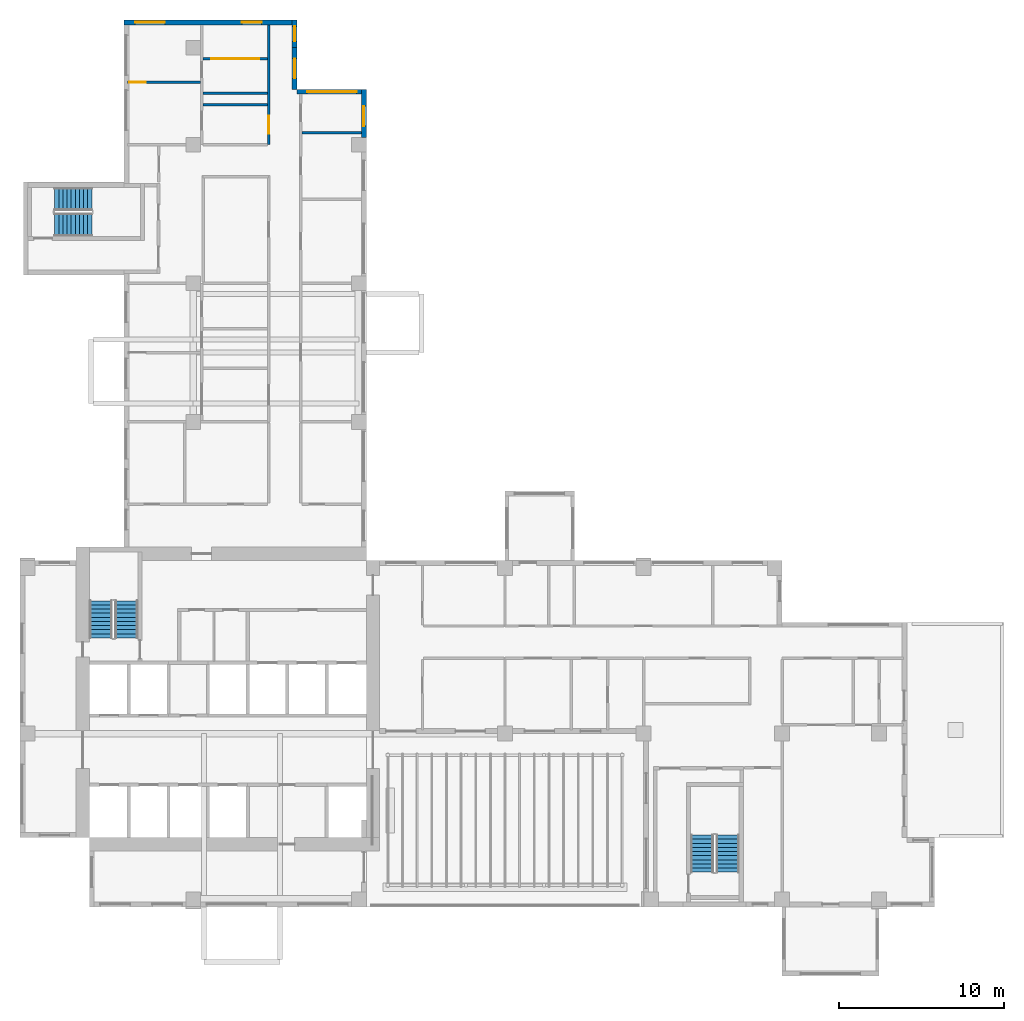
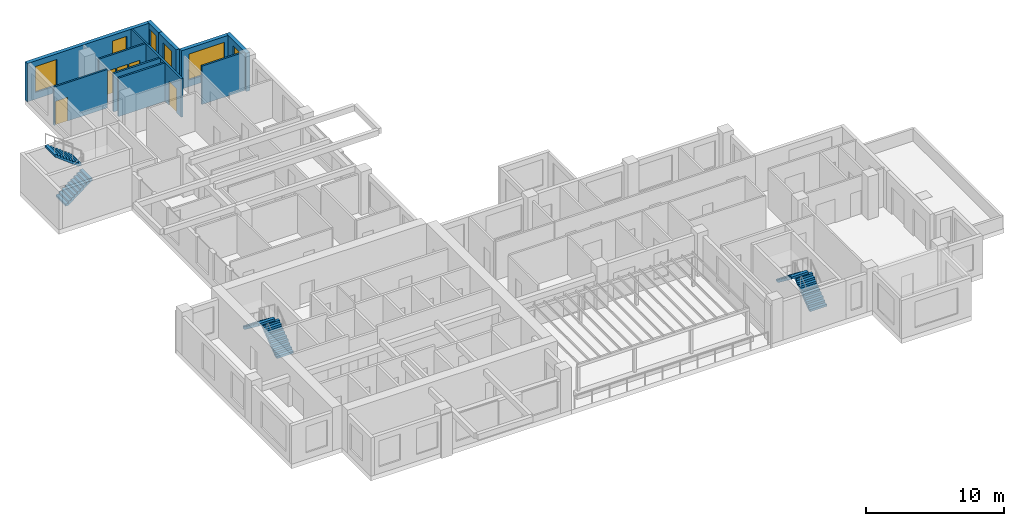
# One storey, part 9 of 13: 11 walls, 6 stair flights, 6 windows, 5 doors, 11 openings, 3 elements without a shape of their own.
"""IFC4 building model written with IfcOpenShell, lengths in metres."""

from ifc_helpers import new_model, si_unit, direction, frame, frame_2d, origin, place, context, subcontext, project, spatial, polyline, rectangle, outline, extrude, source, transform, mapped, material, layer, layer_set, type_object, element, fill, aggregate, save


model = new_model("IFC4")

# Units and contexts
model_context = context("Model", 3, precision=1e-05, world=origin(), true_north=direction((0.0, 1.0)))
body_context = subcontext(model_context, "Body", "Model", "MODEL_VIEW")
ifc_project = project(units=[si_unit("LENGTHUNIT", "METRE"), si_unit("AREAUNIT", "SQUARE_METRE"), si_unit("VOLUMEUNIT", "CUBIC_METRE"), si_unit("PLANEANGLEUNIT", "RADIAN"), si_unit("MASSUNIT", "GRAM", prefix="KILO")], contexts=[model_context])

# Site, building, storey
site_placement = place(None, origin())
site = spatial("IfcSite", under=ifc_project, at=site_placement, CompositionType="ELEMENT")
building_placement = place(site_placement, origin())
building = spatial("IfcBuilding", under=site, at=building_placement, Name="Aurelian Terraces", CompositionType="ELEMENT")
storey_placement = place(building_placement, frame((0.0, 0.0, 204.4)))
storey = spatial("IfcBuildingStorey", under=building, at=storey_placement, Name="L45", CompositionType="ELEMENT", Elevation=204.4)

# Wall, opening, window
ifc_material_1 = material(Name="Terracotta rainscreen cladding", Category="masonry")
ifc_layer_1 = layer(ifc_material_1, 0.3)
ifc_layer_set_1 = layer_set([ifc_layer_1], Name="EW-300")
wall_type_1 = type_object("IfcWallType", Name="EW-300", PredefinedType="STANDARD", material=ifc_layer_set_1)
shared_shape_1 = source(origin(), body_context, "Body", "SweptSolid", [
    extrude(rectangle(XDim=2.91, YDim=0.3, at=frame_2d((1.455, 0.0))), origin(), (0.0, 0.0, 1.0), 3.4),
])
wall_1_placement = place(storey_placement, frame((20.85, 46.65, 0.0), z_axis=(0.0, 0.0, 1.0), x_axis=(0.0, 1.0, 0.0)))
wall_1 = element("IfcWall", 1, at=wall_1_placement, inside=storey, type_object=wall_type_1, Name="External wall L45 F12.23", PredefinedType="STANDARD", context=body_context, shape_type="MappedRepresentation", body=[
    mapped(shared_shape_1, transform((0.0, 0.0, 0.0), scale=1.0)),
])
shared_shape_2 = source(origin(), body_context, "Body", "SweptSolid", [
    extrude(rectangle(XDim=1.2, YDim=2.3, at=frame_2d((0.6, 1.15))), frame((0.0, 0.16, 0.0), z_axis=(0.0, -1.0, 0.0), x_axis=(1.0, 0.0, 0.0)), (0.0, 0.0, 1.0), 0.32),
])
opening_1_placement = place(wall_1_placement, frame((0.684, 0.0, 0.6)))
opening_1 = element("IfcOpeningElement", 2, at=opening_1_placement, cuts=wall_1, Name="Opening W1223", PredefinedType="OPENING", context=body_context, shape_type="MappedRepresentation", body=[
    mapped(shared_shape_2, transform((0.0, 0.0, 0.0), scale=1.0)),
])
ifc_material_2 = material(Name="Clear glazing", Category="glass")
window_type_1 = type_object("IfcWindowType", Name="W-1200x2300", PartitioningType="SINGLE_PANEL", PredefinedType="WINDOW", material=ifc_material_2)
shared_shape_3 = source(origin(), body_context, "Body", "SweptSolid", [
    extrude(rectangle(XDim=1.2, YDim=2.3, at=frame_2d((0.6, 1.15))), frame((0.0, 0.03, 0.0), z_axis=(0.0, -1.0, 0.0), x_axis=(1.0, 0.0, 0.0)), (0.0, 0.0, 1.0), 0.06),
])
window_1_placement = place(opening_1_placement, origin())
window_1 = element("IfcWindow", 3, at=window_1_placement, inside=storey, type_object=window_type_1, Name="Window L45 L45-F12-23-0", OverallHeight=2.3, OverallWidth=1.2, PartitioningType="SINGLE_PANEL", PredefinedType="WINDOW", context=body_context, shape_type="MappedRepresentation", body=[
    mapped(shared_shape_3, transform((0.0, 0.0, 0.0), scale=1.0)),
])
fill(opening_1, window_1)

shared_shape_4 = source(origin(), body_context, "Body", "SweptSolid", [
    extrude(rectangle(XDim=4.2, YDim=0.3, at=frame_2d((2.1, 0.0))), origin(), (0.0, 0.0, 1.0), 3.4),
])
wall_2_placement = place(storey_placement, frame((21.0, 49.41, 0.0), z_axis=(0.0, 0.0, 1.0), x_axis=(-1.0, 0.0, 0.0)))
wall_2 = element("IfcWall", 4, at=wall_2_placement, inside=storey, type_object=wall_type_1, Name="External wall L45 F13.24", PredefinedType="STANDARD", context=body_context, shape_type="MappedRepresentation", body=[
    mapped(shared_shape_4, transform((0.0, 0.0, 0.0), scale=1.0)),
])
shared_shape_5 = source(origin(), body_context, "Body", "SweptSolid", [
    extrude(rectangle(XDim=3.0, YDim=2.3, at=frame_2d((1.5, 1.15))), frame((0.0, 0.16, 0.0), z_axis=(0.0, -1.0, 0.0), x_axis=(1.0, 0.0, 0.0)), (0.0, 0.0, 1.0), 0.32),
])
opening_2_placement = place(wall_2_placement, frame((0.6, 0.0, 0.6)))
opening_2 = element("IfcOpeningElement", 5, at=opening_2_placement, cuts=wall_2, Name="Opening W3023", PredefinedType="OPENING", context=body_context, shape_type="MappedRepresentation", body=[
    mapped(shared_shape_5, transform((0.0, 0.0, 0.0), scale=1.0)),
])
window_type_2 = type_object("IfcWindowType", Name="W-3000x2300", PartitioningType="SINGLE_PANEL", PredefinedType="WINDOW", material=ifc_material_2)
shared_shape_6 = source(origin(), body_context, "Body", "SweptSolid", [
    extrude(rectangle(XDim=3.0, YDim=2.3, at=frame_2d((1.5, 1.15))), frame((0.0, 0.03, 0.0), z_axis=(0.0, -1.0, 0.0), x_axis=(1.0, 0.0, 0.0)), (0.0, 0.0, 1.0), 0.06),
])
window_2_placement = place(opening_2_placement, origin())
window_2 = element("IfcWindow", 6, at=window_2_placement, inside=storey, type_object=window_type_2, Name="Window L45 L45-F13-24-0", OverallHeight=2.3, OverallWidth=3.0, PartitioningType="SINGLE_PANEL", PredefinedType="WINDOW", context=body_context, shape_type="MappedRepresentation", body=[
    mapped(shared_shape_6, transform((0.0, 0.0, 0.0), scale=1.0)),
])
fill(opening_2, window_2)

shared_shape_7 = source(origin(), body_context, "Body", "SweptSolid", [
    extrude(rectangle(XDim=2.52, YDim=0.3, at=frame_2d((1.26, 0.0))), origin(), (0.0, 0.0, 1.0), 3.4),
])
wall_3_placement = place(storey_placement, frame((16.65, 49.56, 0.0), z_axis=(0.0, 0.0, 1.0), x_axis=(0.0, 1.0, 0.0)))
wall_3 = element("IfcWall", 7, at=wall_3_placement, inside=storey, type_object=wall_type_1, Name="External wall L45 F14.25", PredefinedType="STANDARD", context=body_context, shape_type="MappedRepresentation", body=[
    mapped(shared_shape_7, transform((0.0, 0.0, 0.0), scale=1.0)),
])
opening_3_placement = place(wall_3_placement, frame((0.66, 0.0, 0.6)))
opening_3 = element("IfcOpeningElement", 8, at=opening_3_placement, cuts=wall_3, Name="Opening W1223", PredefinedType="OPENING", context=body_context, shape_type="MappedRepresentation", body=[
    mapped(shared_shape_2, transform((0.0, 0.0, 0.0), scale=1.0)),
])
window_3_placement = place(opening_3_placement, origin())
window_3 = element("IfcWindow", 9, at=window_3_placement, inside=storey, type_object=window_type_1, Name="Window L45 L45-F14-25-0", OverallHeight=2.3, OverallWidth=1.2, PartitioningType="SINGLE_PANEL", PredefinedType="WINDOW", context=body_context, shape_type="MappedRepresentation", body=[
    mapped(shared_shape_3, transform((0.0, 0.0, 0.0), scale=1.0)),
])
fill(opening_3, window_3)

shared_shape_8 = source(origin(), body_context, "Body", "SweptSolid", [
    extrude(rectangle(XDim=1.68, YDim=0.3, at=frame_2d((0.84, 0.0))), origin(), (0.0, 0.0, 1.0), 3.4),
])
wall_4_placement = place(storey_placement, frame((16.65, 52.08, 0.0), z_axis=(0.0, 0.0, 1.0), x_axis=(0.0, 1.0, 0.0)))
wall_4 = element("IfcWall", 10, at=wall_4_placement, inside=storey, type_object=wall_type_1, Name="External wall L45 F14.26", PredefinedType="STANDARD", context=body_context, shape_type="MappedRepresentation", body=[
    mapped(shared_shape_8, transform((0.0, 0.0, 0.0), scale=1.0)),
])
shared_shape_9 = source(origin(), body_context, "Body", "SweptSolid", [
    extrude(rectangle(XDim=0.9, YDim=2.3, at=frame_2d((0.45, 1.15))), frame((0.0, 0.16, 0.0), z_axis=(0.0, -1.0, 0.0), x_axis=(1.0, 0.0, 0.0)), (0.0, 0.0, 1.0), 0.32),
])
opening_4_placement = place(wall_4_placement, frame((0.39, 0.0, 0.6)))
opening_4 = element("IfcOpeningElement", 11, at=opening_4_placement, cuts=wall_4, Name="Opening W0923", PredefinedType="OPENING", context=body_context, shape_type="MappedRepresentation", body=[
    mapped(shared_shape_9, transform((0.0, 0.0, 0.0), scale=1.0)),
])
window_type_3 = type_object("IfcWindowType", Name="W-900x2300", PartitioningType="SINGLE_PANEL", PredefinedType="WINDOW", material=ifc_material_2)
shared_shape_10 = source(origin(), body_context, "Body", "SweptSolid", [
    extrude(rectangle(XDim=0.9, YDim=2.3, at=frame_2d((0.45, 1.15))), frame((0.0, 0.03, 0.0), z_axis=(0.0, -1.0, 0.0), x_axis=(1.0, 0.0, 0.0)), (0.0, 0.0, 1.0), 0.06),
])
window_4_placement = place(opening_4_placement, origin())
window_4 = element("IfcWindow", 12, at=window_4_placement, inside=storey, type_object=window_type_3, Name="Window L45 L45-F14-26-P0", OverallHeight=2.3, OverallWidth=0.9, PartitioningType="SINGLE_PANEL", PredefinedType="WINDOW", context=body_context, shape_type="MappedRepresentation", body=[
    mapped(shared_shape_10, transform((0.0, 0.0, 0.0), scale=1.0)),
])
fill(opening_4, window_4)

# Wall, openings, windows
shared_shape_11 = source(origin(), body_context, "Body", "SweptSolid", [
    extrude(rectangle(XDim=10.5, YDim=0.3, at=frame_2d((5.25, 0.0))), origin(), (0.0, 0.0, 1.0), 3.4),
])
wall_5_placement = place(storey_placement, frame((16.8, 53.61, 0.0), z_axis=(0.0, 0.0, 1.0), x_axis=(-1.0, 0.0, 0.0)))
wall_5 = element("IfcWall", 13, at=wall_5_placement, inside=storey, type_object=wall_type_1, Name="External wall L45 F15.27", PredefinedType="STANDARD", context=body_context, shape_type="MappedRepresentation", body=[
    mapped(shared_shape_11, transform((0.0, 0.0, 0.0), scale=1.0)),
])
opening_5_placement = place(wall_5_placement, frame((2.15, 0.0, 0.6)))
opening_5 = element("IfcOpeningElement", 14, at=opening_5_placement, cuts=wall_5, Name="Opening W1223", PredefinedType="OPENING", context=body_context, shape_type="MappedRepresentation", body=[
    mapped(shared_shape_2, transform((0.0, 0.0, 0.0), scale=1.0)),
])
shared_shape_12 = source(origin(), body_context, "Body", "SweptSolid", [
    extrude(rectangle(XDim=1.8, YDim=2.3, at=frame_2d((0.9, 1.15))), frame((0.0, 0.16, 0.0), z_axis=(0.0, -1.0, 0.0), x_axis=(1.0, 0.0, 0.0)), (0.0, 0.0, 1.0), 0.32),
])
opening_6_placement = place(wall_5_placement, frame((8.025, 0.0, 0.6)))
opening_6 = element("IfcOpeningElement", 15, at=opening_6_placement, cuts=wall_5, Name="Opening W1823", PredefinedType="OPENING", context=body_context, shape_type="MappedRepresentation", body=[
    mapped(shared_shape_12, transform((0.0, 0.0, 0.0), scale=1.0)),
])
window_5_placement = place(opening_5_placement, origin())
window_5 = element("IfcWindow", 16, at=window_5_placement, inside=storey, type_object=window_type_1, Name="Window L45 L45-F15-27-0", OverallHeight=2.3, OverallWidth=1.2, PartitioningType="SINGLE_PANEL", PredefinedType="WINDOW", context=body_context, shape_type="MappedRepresentation", body=[
    mapped(shared_shape_3, transform((0.0, 0.0, 0.0), scale=1.0)),
])
fill(opening_5, window_5)
window_type_4 = type_object("IfcWindowType", Name="W-1800x2300", PartitioningType="SINGLE_PANEL", PredefinedType="WINDOW", material=ifc_material_2)
shared_shape_13 = source(origin(), body_context, "Body", "SweptSolid", [
    extrude(rectangle(XDim=1.8, YDim=2.3, at=frame_2d((0.9, 1.15))), frame((0.0, 0.03, 0.0), z_axis=(0.0, -1.0, 0.0), x_axis=(1.0, 0.0, 0.0)), (0.0, 0.0, 1.0), 0.06),
])
window_6_placement = place(opening_6_placement, origin())
window_6 = element("IfcWindow", 17, at=window_6_placement, inside=storey, type_object=window_type_4, Name="Window L45 L45-F15-27-2", OverallHeight=2.3, OverallWidth=1.8, PartitioningType="SINGLE_PANEL", PredefinedType="WINDOW", context=body_context, shape_type="MappedRepresentation", body=[
    mapped(shared_shape_13, transform((0.0, 0.0, 0.0), scale=1.0)),
])
fill(opening_6, window_6)

# Walls
ifc_material_3 = material(Name="Gypsum board on steel studs", Category="steel")
ifc_layer_2 = layer(ifc_material_3, 0.15)
ifc_layer_set_2 = layer_set([ifc_layer_2], Name="Partition 150")
wall_type_2 = type_object("IfcWallType", Name="Partition 150", PredefinedType="PARTITIONING", material=ifc_layer_set_2)
shared_shape_14 = source(origin(), body_context, "Body", "SweptSolid", [
    extrude(rectangle(XDim=3.9, YDim=0.15, at=frame_2d((1.95, 0.0))), origin(), (0.0, 0.0, 1.0), 3.4),
])
for number, where, z_axis, x_axis, name in (
    (18, (15.0, 48.6165, 0.0), (0.0, 0.0, 1.0), (-1.0, 0.0, 0.0), "Partition"),
    (19, (15.0, 49.3093, 0.0), (0.0, 0.0, 1.0), (-1.0, 0.0, 0.0), "Partition"),
):
    element("IfcWall", number, at=place(storey_placement, frame(where, z_axis=z_axis, x_axis=x_axis)), inside=storey, type_object=wall_type_2, Name=name, PredefinedType="PARTITIONING", context=body_context, shape_type="MappedRepresentation", body=[
        mapped(shared_shape_14, transform((0.0, 0.0, 0.0), scale=1.0)),
    ])

# Wall, openings, doors
wall_6_placement = place(storey_placement, frame((15.0, 51.4123, 0.0), z_axis=(0.0, 0.0, 1.0), x_axis=(-1.0, 0.0, 0.0)))
wall_6 = element("IfcWall", 20, at=wall_6_placement, inside=storey, type_object=wall_type_2, Name="Partition", PredefinedType="PARTITIONING", context=body_context, shape_type="MappedRepresentation", body=[
    mapped(shared_shape_14, transform((0.0, 0.0, 0.0), scale=1.0)),
])
shared_shape_15 = source(origin(), body_context, "Body", "SweptSolid", [
    extrude(rectangle(XDim=0.9, YDim=2.1, at=frame_2d((0.45, 1.05))), frame((0.0, 0.085, 0.0), z_axis=(0.0, -1.0, 0.0), x_axis=(1.0, 0.0, 0.0)), (0.0, 0.0, 1.0), 0.17),
])
opening_7_placement = place(wall_6_placement, frame((1.5, 0.0, 0.0)))
opening_7 = element("IfcOpeningElement", 21, at=opening_7_placement, cuts=wall_6, Name="Opening 745036", PredefinedType="OPENING", context=body_context, shape_type="MappedRepresentation", body=[
    mapped(shared_shape_15, transform((0.0, 0.0, 0.0), scale=1.0)),
])
opening_8_placement = place(wall_6_placement, frame((0.5, 0.0, 0.0)))
opening_8 = element("IfcOpeningElement", 22, at=opening_8_placement, cuts=wall_6, Name="Opening 745037", PredefinedType="OPENING", context=body_context, shape_type="MappedRepresentation", body=[
    mapped(shared_shape_15, transform((0.0, 0.0, 0.0), scale=1.0)),
])
opening_9_placement = place(wall_6_placement, frame((2.5, 0.0, 0.0)))
opening_9 = element("IfcOpeningElement", 23, at=opening_9_placement, cuts=wall_6, Name="Opening 745038", PredefinedType="OPENING", context=body_context, shape_type="MappedRepresentation", body=[
    mapped(shared_shape_15, transform((0.0, 0.0, 0.0), scale=1.0)),
])
ifc_material_4 = material(Name="Timber door leaf", Category="wood")
door_type_1 = type_object("IfcDoorType", Name="Room door 900x2100 left", OperationType="SINGLE_SWING_LEFT", PredefinedType="DOOR", material=ifc_material_4)
shared_shape_16 = source(origin(), body_context, "Body", "SweptSolid", [
    extrude(rectangle(XDim=0.9, YDim=2.1, at=frame_2d((0.45, 1.05))), frame((0.0, 0.025, 0.0), z_axis=(0.0, -1.0, 0.0), x_axis=(1.0, 0.0, 0.0)), (0.0, 0.0, 1.0), 0.05),
])
door_1_placement = place(opening_7_placement, origin())
door_1 = element("IfcDoor", 24, at=door_1_placement, inside=storey, type_object=door_type_1, Name="Door 745036", OperationType="SINGLE_SWING_LEFT", OverallHeight=2.1, OverallWidth=0.9, PredefinedType="DOOR", context=body_context, shape_type="MappedRepresentation", body=[
    mapped(shared_shape_16, transform((0.0, 0.0, 0.0), scale=1.0)),
])
fill(opening_7, door_1)
ifc_material_5 = material(Name="Steel door leaf", Category="steel")
door_type_2 = type_object("IfcDoorType", Name="Entrance fire door 900x2100 left", OperationType="SINGLE_SWING_LEFT", PredefinedType="DOOR", material=ifc_material_5)
door_2_placement = place(opening_8_placement, origin())
door_2 = element("IfcDoor", 25, at=door_2_placement, inside=storey, type_object=door_type_2, Name="Door 745037", OperationType="SINGLE_SWING_LEFT", OverallHeight=2.1, OverallWidth=0.9, PredefinedType="DOOR", context=body_context, shape_type="MappedRepresentation", body=[
    mapped(shared_shape_16, transform((0.0, 0.0, 0.0), scale=1.0)),
])
fill(opening_8, door_2)
door_3_placement = place(opening_9_placement, origin())
door_3 = element("IfcDoor", 26, at=door_3_placement, inside=storey, type_object=door_type_2, Name="Door 745038", OperationType="SINGLE_SWING_LEFT", OverallHeight=2.1, OverallWidth=0.9, PredefinedType="DOOR", context=body_context, shape_type="MappedRepresentation", body=[
    mapped(shared_shape_16, transform((0.0, 0.0, 0.0), scale=1.0)),
])
fill(opening_9, door_3)

# Wall
shared_shape_17 = source(origin(), body_context, "Body", "SweptSolid", [
    extrude(rectangle(XDim=3.6, YDim=0.15, at=frame_2d((1.8, 0.0))), origin(), (0.0, 0.0, 1.0), 3.4),
])
wall_7_placement = place(storey_placement, frame((17.1, 46.9126, 0.0), z_axis=(0.0, 0.0, 1.0), x_axis=(1.0, 0.0, 0.0)))
element("IfcWall", 27, at=wall_7_placement, inside=storey, type_object=wall_type_2, Name="Partition", PredefinedType="PARTITIONING", context=body_context, shape_type="MappedRepresentation", body=[
    mapped(shared_shape_17, transform((0.0, 0.0, 0.0), scale=1.0)),
])

# Wall, opening, door
ifc_layer_3 = layer(ifc_material_3, 0.15)
ifc_layer_set_3 = layer_set([ifc_layer_3], Name="Fire partition 150")
wall_type_3 = type_object("IfcWallType", Name="Fire partition 150", PredefinedType="PARTITIONING", material=ifc_layer_set_3)
shared_shape_18 = source(origin(), body_context, "Body", "SweptSolid", [
    extrude(rectangle(XDim=7.26, YDim=0.15, at=frame_2d((3.63, 0.0))), origin(), (0.0, 0.0, 1.0), 3.4),
])
wall_8_placement = place(storey_placement, frame((15.075, 46.2, 0.0), z_axis=(0.0, 0.0, 1.0), x_axis=(0.0, 1.0, 0.0)))
wall_8 = element("IfcWall", 28, at=wall_8_placement, inside=storey, type_object=wall_type_3, Name="Corridor wall", PredefinedType="PARTITIONING", context=body_context, shape_type="MappedRepresentation", body=[
    mapped(shared_shape_18, transform((0.0, 0.0, 0.0), scale=1.0)),
])
shared_shape_19 = source(origin(), body_context, "Body", "SweptSolid", [
    extrude(rectangle(XDim=1.1, YDim=2.1, at=frame_2d((0.55, 1.05))), frame((0.0, 0.085, 0.0), z_axis=(0.0, -1.0, 0.0), x_axis=(1.0, 0.0, 0.0)), (0.0, 0.0, 1.0), 0.17),
])
opening_10_placement = place(wall_8_placement, frame((0.6582, 0.0, 0.0)))
opening_10 = element("IfcOpeningElement", 29, at=opening_10_placement, cuts=wall_8, Name="Opening 745026", PredefinedType="OPENING", context=body_context, shape_type="MappedRepresentation", body=[
    mapped(shared_shape_19, transform((0.0, 0.0, 0.0), scale=1.0)),
])
door_type_3 = type_object("IfcDoorType", Name="Entrance fire door 1100x2100 left", OperationType="SINGLE_SWING_LEFT", PredefinedType="DOOR", material=ifc_material_5)
shared_shape_20 = source(origin(), body_context, "Body", "SweptSolid", [
    extrude(rectangle(XDim=1.1, YDim=2.1, at=frame_2d((0.55, 1.05))), frame((0.0, 0.025, 0.0), z_axis=(0.0, -1.0, 0.0), x_axis=(1.0, 0.0, 0.0)), (0.0, 0.0, 1.0), 0.05),
])
door_4_placement = place(opening_10_placement, origin())
door_4 = element("IfcDoor", 30, at=door_4_placement, inside=storey, type_object=door_type_3, Name="Door 745026", OperationType="SINGLE_SWING_LEFT", OverallHeight=2.1, OverallWidth=1.1, PredefinedType="DOOR", context=body_context, shape_type="MappedRepresentation", body=[
    mapped(shared_shape_20, transform((0.0, 0.0, 0.0), scale=1.0)),
])
fill(opening_10, door_4)

shared_shape_21 = source(origin(), body_context, "Body", "SweptSolid", [
    extrude(rectangle(XDim=4.445, YDim=0.15, at=frame_2d((2.2225, 0.0))), origin(), (0.0, 0.0, 1.0), 3.4),
])
wall_9_placement = place(storey_placement, frame((10.95, 49.98, 0.0), z_axis=(0.0, 0.0, 1.0), x_axis=(-1.0, 0.0, 0.0)))
wall_9 = element("IfcWall", 31, at=wall_9_placement, inside=storey, type_object=wall_type_2, Name="Partition", PredefinedType="PARTITIONING", context=body_context, shape_type="MappedRepresentation", body=[
    mapped(shared_shape_21, transform((0.0, 0.0, 0.0), scale=1.0)),
])
shared_shape_22 = source(origin(), body_context, "Body", "SweptSolid", [
    extrude(rectangle(XDim=1.0, YDim=2.1, at=frame_2d((0.5, 1.05))), frame((0.0, 0.085, 0.0), z_axis=(0.0, -1.0, 0.0), x_axis=(1.0, 0.0, 0.0)), (0.0, 0.0, 1.0), 0.17),
])
opening_11_placement = place(wall_9_placement, frame((3.325, 0.0, 0.0)))
opening_11 = element("IfcOpeningElement", 32, at=opening_11_placement, cuts=wall_9, Name="Opening 745029", PredefinedType="OPENING", context=body_context, shape_type="MappedRepresentation", body=[
    mapped(shared_shape_22, transform((0.0, 0.0, 0.0), scale=1.0)),
])
door_type_4 = type_object("IfcDoorType", Name="Room door 1000x2100 right", OperationType="SINGLE_SWING_RIGHT", PredefinedType="DOOR", material=ifc_material_4)
shared_shape_23 = source(origin(), body_context, "Body", "SweptSolid", [
    extrude(rectangle(XDim=1.0, YDim=2.1, at=frame_2d((0.5, 1.05))), frame((0.0, 0.025, 0.0), z_axis=(0.0, -1.0, 0.0), x_axis=(1.0, 0.0, 0.0)), (0.0, 0.0, 1.0), 0.05),
])
door_5_placement = place(opening_11_placement, origin())
door_5 = element("IfcDoor", 33, at=door_5_placement, inside=storey, type_object=door_type_4, Name="Door 745029", OperationType="SINGLE_SWING_RIGHT", OverallHeight=2.1, OverallWidth=1.0, PredefinedType="DOOR", context=body_context, shape_type="MappedRepresentation", body=[
    mapped(shared_shape_23, transform((0.0, 0.0, 0.0), scale=1.0)),
])
fill(opening_11, door_5)

# Stair, stair flights
ifc_material_6 = material(Name="Concrete fc' 40 MPa", Category="concrete")
stair_type = type_object("IfcStairType", Name="Stair 1400", PredefinedType="HALF_TURN_STAIR", material=ifc_material_6)
stair_1_placement = place(storey_placement, origin())
stair_1 = element("IfcStair", 34, at=stair_1_placement, inside=storey, type_object=stair_type, Name="L45 S1", PredefinedType="HALF_TURN_STAIR")
stair_flight_type = type_object("IfcStairFlightType", Name="Stair flight 1400", PredefinedType="STRAIGHT", material=ifc_material_6)
shared_shape_24 = source(origin(), body_context, "Body", "SweptSolid", [
    extrude(outline(polyline([(0.0, 0.0), (0.0, 0.19), (0.25, 0.19), (0.25, 0.38), (0.5, 0.38), (0.5, 0.57), (0.75, 0.57), (0.75, 0.76), (1.0, 0.76), (1.0, 0.95), (1.25, 0.95), (1.25, 1.14), (1.5, 1.14), (1.5, 1.33), (1.75, 1.33), (1.75, 1.52), (2.0, 1.52), (2.0, 1.71), (2.25, 1.71), (2.25, 1.9), (2.25, 1.5216), (0.2479, 0.0), (0.0, 0.0)])), frame((0.0, 0.7, 0.0), z_axis=(0.0, -1.0, 0.0), x_axis=(1.0, 0.0, 0.0)), (0.0, 0.0, 1.0), 1.4),
])
stair_flight_1_placement = place(storey_placement, frame((6.45, 16.3, 2e-08), z_axis=(0.0, 0.0, 1.0), x_axis=(0.0, 1.0, 0.0)))
stair_flight_1 = element("IfcStairFlight", 35, at=stair_flight_1_placement, type_object=stair_flight_type, Name="S1 flight 1", NumberOfRisers=10, NumberOfTreads=9, PredefinedType="STRAIGHT", RiserHeight=0.19, TreadLength=0.25, context=body_context, shape_type="MappedRepresentation", body=[
    mapped(shared_shape_24, transform((0.0, 0.0, 0.0), scale=1.0)),
])
stair_flight_2_placement = place(storey_placement, frame((4.9, 18.55, 1.9000000200000058), z_axis=(0.0, 0.0, 1.0), x_axis=(0.0, -1.0, 0.0)))
stair_flight_2 = element("IfcStairFlight", 36, at=stair_flight_2_placement, type_object=stair_flight_type, Name="S1 flight 2", NumberOfRisers=10, NumberOfTreads=9, PredefinedType="STRAIGHT", RiserHeight=0.19, TreadLength=0.25, context=body_context, shape_type="MappedRepresentation", body=[
    mapped(shared_shape_24, transform((0.0, 0.0, 0.0), scale=1.0)),
])
aggregate(stair_1, [stair_flight_1, stair_flight_2])

stair_2_placement = place(storey_placement, origin())
stair_2 = element("IfcStair", 37, at=stair_2_placement, inside=storey, type_object=stair_type, Name="L45 S2", PredefinedType="HALF_TURN_STAIR")
stair_flight_3_placement = place(storey_placement, frame((42.9, 2.1, 2e-08), z_axis=(0.0, 0.0, 1.0), x_axis=(0.0, 1.0, 0.0)))
stair_flight_3 = element("IfcStairFlight", 38, at=stair_flight_3_placement, type_object=stair_flight_type, Name="S2 flight 1", NumberOfRisers=10, NumberOfTreads=9, PredefinedType="STRAIGHT", RiserHeight=0.19, TreadLength=0.25, context=body_context, shape_type="MappedRepresentation", body=[
    mapped(shared_shape_24, transform((0.0, 0.0, 0.0), scale=1.0)),
])
stair_flight_4_placement = place(storey_placement, frame((41.35, 4.35, 1.9000000200000058), z_axis=(0.0, 0.0, 1.0), x_axis=(0.0, -1.0, 0.0)))
stair_flight_4 = element("IfcStairFlight", 39, at=stair_flight_4_placement, type_object=stair_flight_type, Name="S2 flight 2", NumberOfRisers=10, NumberOfTreads=9, PredefinedType="STRAIGHT", RiserHeight=0.19, TreadLength=0.25, context=body_context, shape_type="MappedRepresentation", body=[
    mapped(shared_shape_24, transform((0.0, 0.0, 0.0), scale=1.0)),
])
aggregate(stair_2, [stair_flight_3, stair_flight_4])

stair_3_placement = place(storey_placement, origin())
stair_3 = element("IfcStair", 40, at=stair_3_placement, inside=storey, type_object=stair_type, Name="L45 S3", PredefinedType="HALF_TURN_STAIR")
stair_flight_5_placement = place(storey_placement, frame((2.1, 41.35, 2e-08), z_axis=(0.0, 0.0, 1.0), x_axis=(1.0, 0.0, 0.0)))
stair_flight_5 = element("IfcStairFlight", 41, at=stair_flight_5_placement, type_object=stair_flight_type, Name="S3 flight 1", NumberOfRisers=10, NumberOfTreads=9, PredefinedType="STRAIGHT", RiserHeight=0.19, TreadLength=0.25, context=body_context, shape_type="MappedRepresentation", body=[
    mapped(shared_shape_24, transform((0.0, 0.0, 0.0), scale=1.0)),
])
stair_flight_6_placement = place(storey_placement, frame((4.35, 42.9, 1.9000000200000058), z_axis=(0.0, 0.0, 1.0), x_axis=(-1.0, 0.0, 0.0)))
stair_flight_6 = element("IfcStairFlight", 42, at=stair_flight_6_placement, type_object=stair_flight_type, Name="S3 flight 2", NumberOfRisers=10, NumberOfTreads=9, PredefinedType="STRAIGHT", RiserHeight=0.19, TreadLength=0.25, context=body_context, shape_type="MappedRepresentation", body=[
    mapped(shared_shape_24, transform((0.0, 0.0, 0.0), scale=1.0)),
])
aggregate(stair_3, [stair_flight_5, stair_flight_6])

save(model, "model.ifc")
